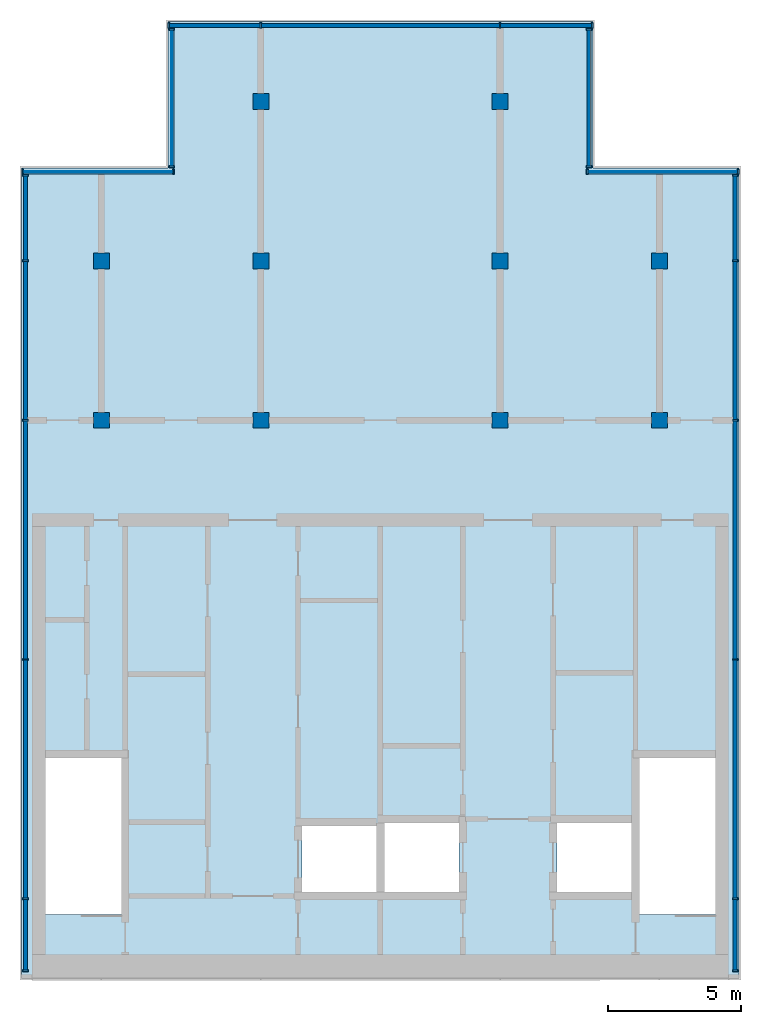
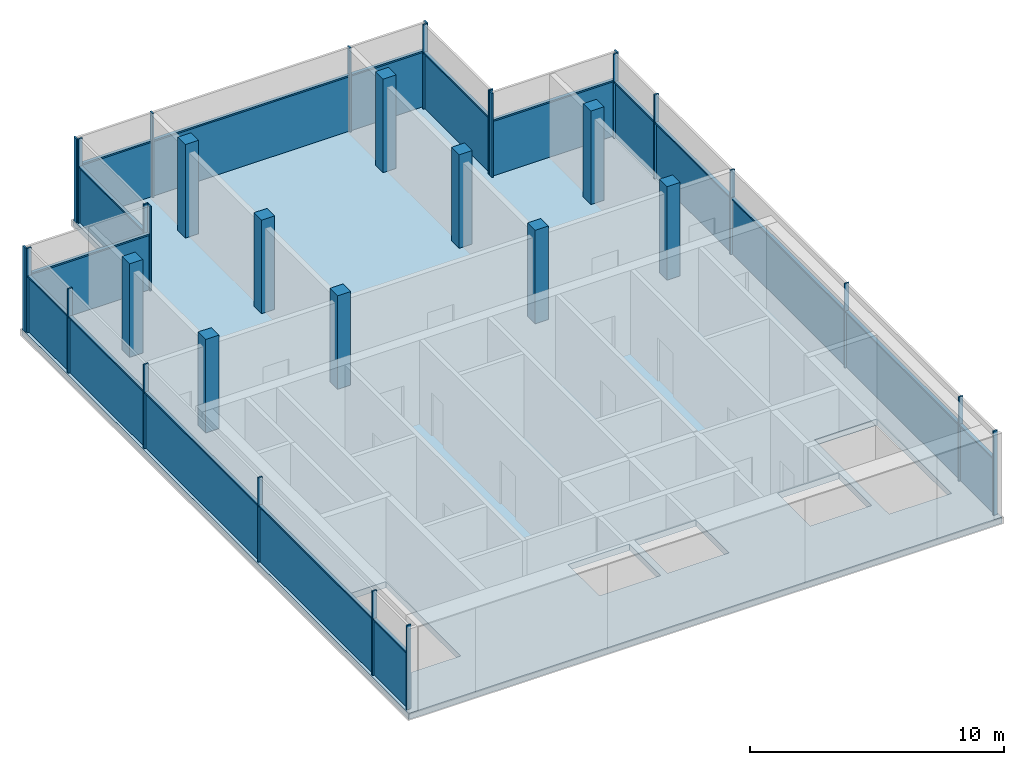
# One storey, part 1 of 4: 41 members, 17 plates, 10 columns, 1 slab, 7 elements without a shape of their own.
"""IFC4 building model written with IfcOpenShell, lengths in metres."""

import ifcopenshell
import ifcopenshell.guid

model = None  # the IFC model being written
_history = None  # IfcOwnerHistory: only IFC2X3 demands one
_inside = {}  # id of a spatial element -> (the spatial element, [elements in it])
_under = {}  # id of a project, library or spatial element -> (it, [spatial elements below it])
_declared = {}  # id of a project -> (the project, [libraries it declares])
_typed = {}  # id of a type object -> (the type object, [elements of that type])
_made_of = {}  # id of a material, layer set ... -> (it, [elements and type objects made of it])


def new_model(schema):
    """Start an empty IFC model of exactly this schema.

    Asked for "IFC4X3", IfcOpenShell would pick the latest addendum, in which some entities
    have other attributes; the version numbers below select the first issue.
    IFC2X3 requires an IfcOwnerHistory on every rooted entity: one is made here for all.
    """
    global model, _history
    if schema == "IFC4X3":
        model = ifcopenshell.file(schema_version=(4, 3, 0, 0))
    else:
        model = ifcopenshell.file(schema=schema)
    _inside.clear()
    _under.clear()
    _declared.clear()
    _typed.clear()
    _made_of.clear()
    _history = None
    if model.schema == "IFC2X3":
        org = make("IfcOrganization", Name="unknown")
        user = make(
            "IfcPersonAndOrganization",
            ThePerson=make("IfcPerson", FamilyName="unknown"),
            TheOrganization=org,
        )
        app = make(
            "IfcApplication",
            ApplicationDeveloper=org,
            Version="unknown",
            ApplicationFullName="unknown",
            ApplicationIdentifier="unknown",
        )
        _history = make(
            "IfcOwnerHistory",
            OwningUser=user,
            OwningApplication=app,
            ChangeAction="ADDED",
            CreationDate=0,
        )
    return model


def make(cls, **values):
    """One entity of the class cls with the attributes given. An attribute that is None is left unset."""
    return model.create_entity(
        cls, **{name: value for name, value in values.items() if value is not None}
    )


def rooted(cls, **values):
    """An entity with a GlobalId (a new one), such as an element, a storey or a relation."""
    return make(cls, GlobalId=ifcopenshell.guid.new(), OwnerHistory=_history, **values)


def si_unit(unit_type, name, prefix=None):
    """IfcSIUnit, for example si_unit("LENGTHUNIT", "METRE", prefix="MILLI")."""
    return make("IfcSIUnit", UnitType=unit_type, Prefix=prefix, Name=name)


def assignment(units):
    """IfcUnitAssignment: the units of a project."""
    return None if units is None else make("IfcUnitAssignment", Units=units)


def point(xyz):
    """IfcCartesianPoint."""
    return None if xyz is None else make("IfcCartesianPoint", Coordinates=xyz)


def direction(xyz):
    """IfcDirection."""
    return None if xyz is None else make("IfcDirection", DirectionRatios=xyz)


def frame(location, z_axis=None, x_axis=None):
    """IfcAxis2Placement3D, a coordinate frame: its origin and axes. An axis left out is left unset."""
    return make(
        "IfcAxis2Placement3D",
        Location=point(location),
        Axis=direction(z_axis),
        RefDirection=direction(x_axis),
    )


def frame_2d(location, x_axis=None):
    """IfcAxis2Placement2D, a coordinate frame in the plane: its origin and x axis."""
    return make(
        "IfcAxis2Placement2D", Location=point(location), RefDirection=direction(x_axis)
    )


def origin():
    """The frame at (0, 0, 0) with its axes left unset."""
    return frame((0.0, 0.0, 0.0))


def origin_2d():
    """The frame at (0, 0) in the plane with its x axis left unset."""
    return frame_2d((0.0, 0.0))


def place(relative_to, where):
    """IfcLocalPlacement: puts the frame where relative to a parent placement (None: the world)."""
    return make(
        "IfcLocalPlacement", PlacementRelTo=relative_to, RelativePlacement=where
    )


def context(
    kind, dimensions, precision=None, world=None, true_north=None, identifier=None
):
    """IfcGeometricRepresentationContext, for example the 3D "Model" context."""
    return make(
        "IfcGeometricRepresentationContext",
        ContextIdentifier=identifier,
        ContextType=kind,
        CoordinateSpaceDimension=dimensions,
        Precision=precision,
        WorldCoordinateSystem=world,
        TrueNorth=true_north,
    )


def subcontext(parent, identifier, kind, view, scale=None):
    """IfcGeometricRepresentationSubContext, for example "Body" below "Model"."""
    return make(
        "IfcGeometricRepresentationSubContext",
        ContextIdentifier=identifier,
        ContextType=kind,
        ParentContext=parent,
        TargetScale=scale,
        TargetView=view,
    )


def project(units=None, contexts=None):
    """IfcProject with its units and contexts."""
    return rooted(
        "IfcProject",
        Name="project",
        RepresentationContexts=contexts,
        UnitsInContext=assignment(units),
    )


def spatial(cls, under=None, at=None, **own):
    """A site, building, storey or space (cls), placed at a placement, below another one or the project."""
    s = rooted(cls, ObjectPlacement=at, **own)
    if under is not None:
        _under.setdefault(under.id(), (under, []))[1].append(s)
    return s


def polyline(points):
    """IfcPolyline through the points."""
    return make("IfcPolyline", Points=[point(p) for p in points])


def profile(cls, at=None, kind="AREA", **sizes):
    """A parametric profile (cls). Its sizes go by their IFC names, for example OverallWidth=200.0."""
    return make(cls, ProfileType=kind, Position=at, **sizes)


def rectangle(**sizes):
    """IfcRectangleProfileDef."""
    return profile("IfcRectangleProfileDef", **sizes)


def outline(outer, holes=None, kind="AREA"):
    """IfcArbitraryClosedProfileDef: a profile drawn as a closed curve; with holes, ...WithVoids."""
    if holes is None:
        return make("IfcArbitraryClosedProfileDef", ProfileType=kind, OuterCurve=outer)
    return make(
        "IfcArbitraryProfileDefWithVoids",
        ProfileType=kind,
        OuterCurve=outer,
        InnerCurves=holes,
    )


def extrude(swept, where, along, depth):
    """IfcExtrudedAreaSolid: the profile swept, set in the frame where, extruded along a direction by depth."""
    return make(
        "IfcExtrudedAreaSolid",
        SweptArea=swept,
        Position=where,
        ExtrudedDirection=direction(along),
        Depth=depth,
    )


def shape(context_of_items, identifier, shape_type, items):
    """IfcShapeRepresentation: the items that make up one representation, for example the "Body"."""
    return make(
        "IfcShapeRepresentation",
        ContextOfItems=context_of_items,
        RepresentationIdentifier=identifier,
        RepresentationType=shape_type,
        Items=items,
    )


def material(Name=None, Category=None):
    """IfcMaterial."""
    return make("IfcMaterial", Name=Name, Category=Category)


def layer(
    of_material, thickness, ventilated=None, Name=None, Category=None, Priority=None
):
    """IfcMaterialLayer: one layer of a wall or slab, of a material (None: an air gap)."""
    return make(
        "IfcMaterialLayer",
        Material=of_material,
        LayerThickness=thickness,
        IsVentilated=ventilated,
        Name=Name,
        Category=Category,
        Priority=Priority,
    )


def layer_set(layers, Name=None):
    """IfcMaterialLayerSet."""
    return make("IfcMaterialLayerSet", MaterialLayers=layers, LayerSetName=Name)


def material_profile(
    of_material, cross_section, Name=None, Category=None, Priority=None
):
    """IfcMaterialProfile: a cross section and its material."""
    return make(
        "IfcMaterialProfile",
        Name=Name,
        Material=of_material,
        Profile=cross_section,
        Priority=Priority,
        Category=Category,
    )


def profile_set(profiles, Name=None, composite=None):
    """IfcMaterialProfileSet."""
    return make(
        "IfcMaterialProfileSet",
        Name=Name,
        MaterialProfiles=profiles,
        CompositeProfile=composite,
    )


def made_of(thing, what):
    """Note that an element or type object is made of a material, layer set ...; save() writes the relation."""
    if what is not None:
        _made_of.setdefault(what.id(), (what, []))[1].append(thing)
    return thing


def type_object(cls, material=None, **own):
    """A type object (cls), such as IfcWallType, which elements share."""
    return made_of(rooted(cls, **own), material)


def element(
    cls,
    number,
    at=None,
    inside=None,
    cuts=None,
    type_object=None,
    material=None,
    context=None,
    identifier="Body",
    shape_type=None,
    held_by="IfcProductDefinitionShape",
    body=None,
    shapes=None,
    **own,
):
    """One element of the class cls, such as IfcWall. Its Tag is "e" and its number.

    at: its placement. inside: the storey or other place that contains it. cuts: it is an
    opening in that element (IfcRelVoidsElement). A single representation is given by context,
    identifier, shape_type and body (its items); several are given by shapes. held_by: the class
    of the entity that holds the representations. save() writes the other relations.
    """
    e = rooted(cls, Tag="e%d" % number, ObjectPlacement=at, **own)
    if body is not None:
        shapes = [shape(context, identifier, shape_type, body)]
    if shapes is not None:
        e.Representation = make(held_by, Representations=shapes)
    if inside is not None:
        _inside.setdefault(inside.id(), (inside, []))[1].append(e)
    if cuts is not None:
        rooted(
            "IfcRelVoidsElement", RelatingBuildingElement=cuts, RelatedOpeningElement=e
        )
    if type_object is not None:
        _typed.setdefault(type_object.id(), (type_object, []))[1].append(e)
    return made_of(e, material)


def aggregate(whole, parts):
    """IfcRelAggregates: a whole, such as a stair, and the parts it consists of."""
    return rooted("IfcRelAggregates", RelatingObject=whole, RelatedObjects=parts)


def save(model, path):
    """Write the relations noted so far, then the file.

    IfcRelAggregates (storeys below a building ...), IfcRelContainedInSpatialStructure (elements
    in a storey), IfcRelDefinesByType, IfcRelAssociatesMaterial and IfcRelDeclares: one each for
    every whole, place, type object, material and project.
    """
    for whole, parts in _under.values():
        aggregate(whole, parts)
    for where, things in _inside.values():
        rooted(
            "IfcRelContainedInSpatialStructure",
            RelatedElements=things,
            RelatingStructure=where,
        )
    for kind, things in _typed.values():
        rooted("IfcRelDefinesByType", RelatedObjects=things, RelatingType=kind)
    for what, things in _made_of.values():
        rooted("IfcRelAssociatesMaterial", RelatedObjects=things, RelatingMaterial=what)
    for by, libraries in _declared.values():
        rooted("IfcRelDeclares", RelatingContext=by, RelatedDefinitions=libraries)
    model.write(path)


model = new_model("IFC4")

# Units and contexts
model_context = context("Model", 3, precision=1e-05, world=origin(), true_north=direction((0.0, 1.0)))
body_context = subcontext(model_context, "Body", "Model", "MODEL_VIEW")
ifc_project = project(units=[si_unit("LENGTHUNIT", "METRE"), si_unit("AREAUNIT", "SQUARE_METRE"), si_unit("VOLUMEUNIT", "CUBIC_METRE"), si_unit("PLANEANGLEUNIT", "RADIAN"), si_unit("MASSUNIT", "GRAM", prefix="KILO")], contexts=[model_context])

# Site, building, storey
site_placement = place(None, origin())
site = spatial("IfcSite", under=ifc_project, at=site_placement, CompositionType="ELEMENT")
building_placement = place(site_placement, origin())
building = spatial("IfcBuilding", under=site, at=building_placement, Name="Finial Court Residences", CompositionType="ELEMENT")
storey_placement = place(building_placement, frame((0.0, 0.0, 321.199951171875)))
storey = spatial("IfcBuildingStorey", under=building, at=storey_placement, Name="L81", CompositionType="ELEMENT", Elevation=321.199951171875)

# Columns
ifc_material_1 = material(Name="Concrete C40/50", Category="concrete")
ifc_material_profile_1 = material_profile(ifc_material_1, rectangle(XDim=0.60009765625, YDim=0.60009765625, at=origin_2d()), Name="600x600")
ifc_profile_set_1 = profile_set([ifc_material_profile_1], Name="Concrete C40/50")
column_type_1 = type_object("IfcColumnType", Name="Interior column 600x600 Concrete C40/50", PredefinedType="COLUMN", material=ifc_profile_set_1)
for number, where, z_axis, x_axis, name in (
    (1, (-4.5, -4.5, 0.0), (0.0, 0.0, 1.0), (1.0, 0.0, 0.0), "S:COL:L81:E4"),
    (2, (-4.5, 1.5, 0.0), (0.0, 0.0, 1.0), (1.0, 0.0, 0.0), "S:COL:L81:E5"),
    (3, (4.5, -4.5, 0.0), (0.0, 0.0, 1.0), (1.0, 0.0, 0.0), "S:COL:L81:F4"),
    (4, (4.5, 1.5, 0.0), (0.0, 0.0, 1.0), (1.0, 0.0, 0.0), "S:COL:L81:F5"),
):
    element("IfcColumn", number, at=place(storey_placement, frame(where, z_axis=z_axis, x_axis=x_axis)), inside=storey, type_object=column_type_1, Name=name, PredefinedType="COLUMN", context=body_context, shape_type="SweptSolid", body=[
        extrude(rectangle(XDim=0.60009765625, YDim=0.60009765625, at=origin_2d()), origin(), (0.0, 0.0, 1.0), 4.5),
    ])
ifc_material_profile_2 = material_profile(ifc_material_1, rectangle(XDim=0.60009765625, YDim=0.60009765625, at=origin_2d()), Name="600x600")
ifc_profile_set_2 = profile_set([ifc_material_profile_2], Name="Concrete C40/50")
column_type_2 = type_object("IfcColumnType", Name="Perimeter column 600x600 Concrete C40/50", PredefinedType="COLUMN", material=ifc_profile_set_2)
for number, where, z_axis, x_axis, name in (
    (5, (-10.5, -4.5, 0.0), (0.0, 0.0, 1.0), (1.0, 0.0, 0.0), "S:COL:L81:D4"),
    (6, (-10.5, 1.5, 0.0), (0.0, 0.0, 1.0), (1.0, 0.0, 0.0), "S:COL:L81:D5"),
    (7, (-4.5, 7.5, 0.0), (0.0, 0.0, 1.0), (1.0, 0.0, 0.0), "S:COL:L81:E6"),
    (8, (4.5, 7.5, 0.0), (0.0, 0.0, 1.0), (1.0, 0.0, 0.0), "S:COL:L81:F6"),
    (9, (10.5, -4.5, 0.0), (0.0, 0.0, 1.0), (1.0, 0.0, 0.0), "S:COL:L81:G4"),
    (10, (10.5, 1.5, 0.0), (0.0, 0.0, 1.0), (1.0, 0.0, 0.0), "S:COL:L81:G5"),
):
    element("IfcColumn", number, at=place(storey_placement, frame(where, z_axis=z_axis, x_axis=x_axis)), inside=storey, type_object=column_type_2, Name=name, PredefinedType="COLUMN", context=body_context, shape_type="SweptSolid", body=[
        extrude(rectangle(XDim=0.60009765625, YDim=0.60009765625, at=origin_2d()), origin(), (0.0, 0.0, 1.0), 4.5),
    ])

# Curtain wall, members
ifc_material_2 = material(Name="Bronze anodised aluminium", Category="aluminium")
curtain_wall_type = type_object("IfcCurtainWallType", Name="Crown lantern glazing", PredefinedType="NOTDEFINED", material=ifc_material_2)
curtain_wall_1_placement = place(storey_placement, origin())
curtain_wall_1 = element("IfcCurtainWall", 11, at=curtain_wall_1_placement, inside=storey, type_object=curtain_wall_type, Name="E-L81-CW-N3", PredefinedType="NOTDEFINED")
ifc_material_profile_3 = material_profile(ifc_material_2, rectangle(XDim=0.199951171875, YDim=0.070068359375, at=origin_2d()), Name="CW6 mullion 70 x 200")
ifc_profile_set_3 = profile_set([ifc_material_profile_3], Name="Bronze anodised aluminium")
member_type_1 = type_object("IfcMemberType", Name="CW6 mullion 70 x 200", PredefinedType="MULLION", material=ifc_profile_set_3)
member_1_placement = place(storey_placement, frame((-7.965087890625, 10.35009765625, 0.0), z_axis=(0.0, 0.0, 1.0), x_axis=(0.0, 1.0, 0.0)))
member_1 = element("IfcMember", 12, at=member_1_placement, type_object=member_type_1, Name="CW6 mullion 1", PredefinedType="MULLION", context=body_context, shape_type="SweptSolid", body=[
    extrude(rectangle(XDim=0.199951171875, YDim=0.070068359375, at=origin_2d()), origin(), (0.0, 0.0, 1.0), 4.050048828125),
])
member_2_placement = place(storey_placement, frame((-4.5, 10.35009765625, 0.0), z_axis=(0.0, 0.0, 1.0), x_axis=(0.0, 1.0, 0.0)))
member_2 = element("IfcMember", 13, at=member_2_placement, type_object=member_type_1, Name="CW6 mullion 2", PredefinedType="MULLION", context=body_context, shape_type="SweptSolid", body=[
    extrude(rectangle(XDim=0.199951171875, YDim=0.070068359375, at=origin_2d()), origin(), (0.0, 0.0, 1.0), 4.050048828125),
])
member_3_placement = place(storey_placement, frame((4.5, 10.35009765625, 0.0), z_axis=(0.0, 0.0, 1.0), x_axis=(0.0, 1.0, 0.0)))
member_3 = element("IfcMember", 14, at=member_3_placement, type_object=member_type_1, Name="CW6 mullion 3", PredefinedType="MULLION", context=body_context, shape_type="SweptSolid", body=[
    extrude(rectangle(XDim=0.199951171875, YDim=0.070068359375, at=origin_2d()), origin(), (0.0, 0.0, 1.0), 4.050048828125),
])
member_4_placement = place(storey_placement, frame((7.965087890625, 10.35009765625, 0.0), z_axis=(0.0, 0.0, 1.0), x_axis=(0.0, 1.0, 0.0)))
member_4 = element("IfcMember", 15, at=member_4_placement, type_object=member_type_1, Name="CW6 mullion 4", PredefinedType="MULLION", context=body_context, shape_type="SweptSolid", body=[
    extrude(rectangle(XDim=0.199951171875, YDim=0.070068359375, at=origin_2d()), origin(), (0.0, 0.0, 1.0), 4.050048828125),
])

curtain_wall_2_placement = place(storey_placement, origin())
curtain_wall_2 = element("IfcCurtainWall", 16, at=curtain_wall_2_placement, inside=storey, type_object=curtain_wall_type, Name="E-L81-CW-E4", PredefinedType="NOTDEFINED")
member_5_placement = place(storey_placement, frame((13.35009765625, -25.215087890625, 0.0), z_axis=(0.0, 0.0, 1.0), x_axis=(-1.0, 0.0, 0.0)))
member_5 = element("IfcMember", 17, at=member_5_placement, type_object=member_type_1, Name="CW6 mullion 1", PredefinedType="MULLION", context=body_context, shape_type="SweptSolid", body=[
    extrude(rectangle(XDim=0.199951171875, YDim=0.070068359375, at=origin_2d()), origin(), (0.0, 0.0, 1.0), 4.050048828125),
])
member_6_placement = place(storey_placement, frame((13.35009765625, -22.5, 0.0), z_axis=(0.0, 0.0, 1.0), x_axis=(-1.0, 0.0, 0.0)))
member_6 = element("IfcMember", 18, at=member_6_placement, type_object=member_type_1, Name="CW6 mullion 2", PredefinedType="MULLION", context=body_context, shape_type="SweptSolid", body=[
    extrude(rectangle(XDim=0.199951171875, YDim=0.070068359375, at=origin_2d()), origin(), (0.0, 0.0, 1.0), 4.050048828125),
])
member_7_placement = place(storey_placement, frame((13.35009765625, -13.5, 0.0), z_axis=(0.0, 0.0, 1.0), x_axis=(-1.0, 0.0, 0.0)))
member_7 = element("IfcMember", 19, at=member_7_placement, type_object=member_type_1, Name="CW6 mullion 3", PredefinedType="MULLION", context=body_context, shape_type="SweptSolid", body=[
    extrude(rectangle(XDim=0.199951171875, YDim=0.070068359375, at=origin_2d()), origin(), (0.0, 0.0, 1.0), 4.050048828125),
])
member_8_placement = place(storey_placement, frame((13.35009765625, -4.5, 0.0), z_axis=(0.0, 0.0, 1.0), x_axis=(-1.0, 0.0, 0.0)))
member_8 = element("IfcMember", 20, at=member_8_placement, type_object=member_type_1, Name="CW6 mullion 4", PredefinedType="MULLION", context=body_context, shape_type="SweptSolid", body=[
    extrude(rectangle(XDim=0.199951171875, YDim=0.070068359375, at=origin_2d()), origin(), (0.0, 0.0, 1.0), 4.050048828125),
])
member_9_placement = place(storey_placement, frame((13.35009765625, 1.5, 0.0), z_axis=(0.0, 0.0, 1.0), x_axis=(-1.0, 0.0, 0.0)))
member_9 = element("IfcMember", 21, at=member_9_placement, type_object=member_type_1, Name="CW6 mullion 5", PredefinedType="MULLION", context=body_context, shape_type="SweptSolid", body=[
    extrude(rectangle(XDim=0.199951171875, YDim=0.070068359375, at=origin_2d()), origin(), (0.0, 0.0, 1.0), 4.050048828125),
])
member_10_placement = place(storey_placement, frame((13.35009765625, 4.715087890625, 0.0), z_axis=(0.0, 0.0, 1.0), x_axis=(-1.0, 0.0, 0.0)))
member_10 = element("IfcMember", 22, at=member_10_placement, type_object=member_type_1, Name="CW6 mullion 6", PredefinedType="MULLION", context=body_context, shape_type="SweptSolid", body=[
    extrude(rectangle(XDim=0.199951171875, YDim=0.070068359375, at=origin_2d()), origin(), (0.0, 0.0, 1.0), 4.050048828125),
])

curtain_wall_3_placement = place(storey_placement, origin())
curtain_wall_3 = element("IfcCurtainWall", 23, at=curtain_wall_3_placement, inside=storey, type_object=curtain_wall_type, Name="E-L81-CW-W5", PredefinedType="NOTDEFINED")
member_11_placement = place(storey_placement, frame((-13.35009765625, -25.215087890625, 0.0), z_axis=(0.0, 0.0, 1.0), x_axis=(-1.0, 0.0, 0.0)))
member_11 = element("IfcMember", 24, at=member_11_placement, type_object=member_type_1, Name="CW6 mullion 1", PredefinedType="MULLION", context=body_context, shape_type="SweptSolid", body=[
    extrude(rectangle(XDim=0.199951171875, YDim=0.070068359375, at=origin_2d()), origin(), (0.0, 0.0, 1.0), 4.050048828125),
])
member_12_placement = place(storey_placement, frame((-13.35009765625, -22.5, 0.0), z_axis=(0.0, 0.0, 1.0), x_axis=(-1.0, 0.0, 0.0)))
member_12 = element("IfcMember", 25, at=member_12_placement, type_object=member_type_1, Name="CW6 mullion 2", PredefinedType="MULLION", context=body_context, shape_type="SweptSolid", body=[
    extrude(rectangle(XDim=0.199951171875, YDim=0.070068359375, at=origin_2d()), origin(), (0.0, 0.0, 1.0), 4.050048828125),
])
member_13_placement = place(storey_placement, frame((-13.35009765625, -13.5, 0.0), z_axis=(0.0, 0.0, 1.0), x_axis=(-1.0, 0.0, 0.0)))
member_13 = element("IfcMember", 26, at=member_13_placement, type_object=member_type_1, Name="CW6 mullion 3", PredefinedType="MULLION", context=body_context, shape_type="SweptSolid", body=[
    extrude(rectangle(XDim=0.199951171875, YDim=0.070068359375, at=origin_2d()), origin(), (0.0, 0.0, 1.0), 4.050048828125),
])
member_14_placement = place(storey_placement, frame((-13.35009765625, -4.5, 0.0), z_axis=(0.0, 0.0, 1.0), x_axis=(-1.0, 0.0, 0.0)))
member_14 = element("IfcMember", 27, at=member_14_placement, type_object=member_type_1, Name="CW6 mullion 4", PredefinedType="MULLION", context=body_context, shape_type="SweptSolid", body=[
    extrude(rectangle(XDim=0.199951171875, YDim=0.070068359375, at=origin_2d()), origin(), (0.0, 0.0, 1.0), 4.050048828125),
])
member_15_placement = place(storey_placement, frame((-13.35009765625, 1.5, 0.0), z_axis=(0.0, 0.0, 1.0), x_axis=(-1.0, 0.0, 0.0)))
member_15 = element("IfcMember", 28, at=member_15_placement, type_object=member_type_1, Name="CW6 mullion 5", PredefinedType="MULLION", context=body_context, shape_type="SweptSolid", body=[
    extrude(rectangle(XDim=0.199951171875, YDim=0.070068359375, at=origin_2d()), origin(), (0.0, 0.0, 1.0), 4.050048828125),
])
member_16_placement = place(storey_placement, frame((-13.35009765625, 4.715087890625, 0.0), z_axis=(0.0, 0.0, 1.0), x_axis=(-1.0, 0.0, 0.0)))
member_16 = element("IfcMember", 29, at=member_16_placement, type_object=member_type_1, Name="CW6 mullion 6", PredefinedType="MULLION", context=body_context, shape_type="SweptSolid", body=[
    extrude(rectangle(XDim=0.199951171875, YDim=0.070068359375, at=origin_2d()), origin(), (0.0, 0.0, 1.0), 4.050048828125),
])

curtain_wall_4_placement = place(storey_placement, origin())
curtain_wall_4 = element("IfcCurtainWall", 30, at=curtain_wall_4_placement, inside=storey, type_object=curtain_wall_type, Name="E-L81-CW-W6n", PredefinedType="NOTDEFINED")
member_17_placement = place(storey_placement, frame((-7.85009765625, 5.034912109375, 0.0), z_axis=(0.0, 0.0, 1.0), x_axis=(-1.0, 0.0, 0.0)))
member_17 = element("IfcMember", 31, at=member_17_placement, type_object=member_type_1, Name="CW6 mullion 1", PredefinedType="MULLION", context=body_context, shape_type="SweptSolid", body=[
    extrude(rectangle(XDim=0.199951171875, YDim=0.070068359375, at=origin_2d()), origin(), (0.0, 0.0, 1.0), 4.050048828125),
])
member_18_placement = place(storey_placement, frame((-7.85009765625, 10.215087890625, 0.0), z_axis=(0.0, 0.0, 1.0), x_axis=(-1.0, 0.0, 0.0)))
member_18 = element("IfcMember", 32, at=member_18_placement, type_object=member_type_1, Name="CW6 mullion 2", PredefinedType="MULLION", context=body_context, shape_type="SweptSolid", body=[
    extrude(rectangle(XDim=0.199951171875, YDim=0.070068359375, at=origin_2d()), origin(), (0.0, 0.0, 1.0), 4.050048828125),
])

curtain_wall_5_placement = place(storey_placement, origin())
curtain_wall_5 = element("IfcCurtainWall", 33, at=curtain_wall_5_placement, inside=storey, type_object=curtain_wall_type, Name="E-L81-CW-N7n", PredefinedType="NOTDEFINED")
member_19_placement = place(storey_placement, frame((-13.465087890625, 4.85009765625, 0.0), z_axis=(0.0, 0.0, 1.0), x_axis=(0.0, 1.0, 0.0)))
member_19 = element("IfcMember", 34, at=member_19_placement, type_object=member_type_1, Name="CW6 mullion 1", PredefinedType="MULLION", context=body_context, shape_type="SweptSolid", body=[
    extrude(rectangle(XDim=0.199951171875, YDim=0.070068359375, at=origin_2d()), origin(), (0.0, 0.0, 1.0), 4.050048828125),
])
member_20_placement = place(storey_placement, frame((-7.784912109375, 4.85009765625, 0.0), z_axis=(0.0, 0.0, 1.0), x_axis=(0.0, 1.0, 0.0)))
member_20 = element("IfcMember", 35, at=member_20_placement, type_object=member_type_1, Name="CW6 mullion 2", PredefinedType="MULLION", context=body_context, shape_type="SweptSolid", body=[
    extrude(rectangle(XDim=0.199951171875, YDim=0.070068359375, at=origin_2d()), origin(), (0.0, 0.0, 1.0), 4.050048828125),
])

curtain_wall_6_placement = place(storey_placement, origin())
curtain_wall_6 = element("IfcCurtainWall", 36, at=curtain_wall_6_placement, inside=storey, type_object=curtain_wall_type, Name="E-L81-CW-E8n", PredefinedType="NOTDEFINED")
member_21_placement = place(storey_placement, frame((7.85009765625, 5.034912109375, 0.0), z_axis=(0.0, 0.0, 1.0), x_axis=(-1.0, 0.0, 0.0)))
member_21 = element("IfcMember", 37, at=member_21_placement, type_object=member_type_1, Name="CW6 mullion 1", PredefinedType="MULLION", context=body_context, shape_type="SweptSolid", body=[
    extrude(rectangle(XDim=0.199951171875, YDim=0.070068359375, at=origin_2d()), origin(), (0.0, 0.0, 1.0), 4.050048828125),
])
member_22_placement = place(storey_placement, frame((7.85009765625, 10.215087890625, 0.0), z_axis=(0.0, 0.0, 1.0), x_axis=(-1.0, 0.0, 0.0)))
member_22 = element("IfcMember", 38, at=member_22_placement, type_object=member_type_1, Name="CW6 mullion 2", PredefinedType="MULLION", context=body_context, shape_type="SweptSolid", body=[
    extrude(rectangle(XDim=0.199951171875, YDim=0.070068359375, at=origin_2d()), origin(), (0.0, 0.0, 1.0), 4.050048828125),
])

curtain_wall_7_placement = place(storey_placement, origin())
curtain_wall_7 = element("IfcCurtainWall", 39, at=curtain_wall_7_placement, inside=storey, type_object=curtain_wall_type, Name="E-L81-CW-N9n", PredefinedType="NOTDEFINED")
member_23_placement = place(storey_placement, frame((7.784912109375, 4.85009765625, 0.0), z_axis=(0.0, 0.0, 1.0), x_axis=(0.0, 1.0, 0.0)))
member_23 = element("IfcMember", 40, at=member_23_placement, type_object=member_type_1, Name="CW6 mullion 1", PredefinedType="MULLION", context=body_context, shape_type="SweptSolid", body=[
    extrude(rectangle(XDim=0.199951171875, YDim=0.070068359375, at=origin_2d()), origin(), (0.0, 0.0, 1.0), 4.050048828125),
])
member_24_placement = place(storey_placement, frame((13.465087890625, 4.85009765625, 0.0), z_axis=(0.0, 0.0, 1.0), x_axis=(0.0, 1.0, 0.0)))
member_24 = element("IfcMember", 41, at=member_24_placement, type_object=member_type_1, Name="CW6 mullion 2", PredefinedType="MULLION", context=body_context, shape_type="SweptSolid", body=[
    extrude(rectangle(XDim=0.199951171875, YDim=0.070068359375, at=origin_2d()), origin(), (0.0, 0.0, 1.0), 4.050048828125),
])

# Member
ifc_material_profile_4 = material_profile(ifc_material_2, rectangle(XDim=0.14990234375, YDim=0.070068359375, at=origin_2d()), Name="CW6 transom 70 x 150")
ifc_profile_set_4 = profile_set([ifc_material_profile_4], Name="Bronze anodised aluminium")
member_type_2 = type_object("IfcMemberType", Name="CW6 transom 70 x 150", PredefinedType="USERDEFINED", material=ifc_profile_set_4)
member_25_placement = place(storey_placement, frame((-7.929931640625, 10.35009765625, 2.699951171875), z_axis=(1.0, 0.0, 0.0), x_axis=(0.0, 1.0, 0.0)))
member_25 = element("IfcMember", 42, at=member_25_placement, type_object=member_type_2, Name="CW6 transom 1.1", ObjectType="TRANSOM", PredefinedType="USERDEFINED", context=body_context, shape_type="SweptSolid", body=[
    extrude(rectangle(XDim=0.14990234375, YDim=0.070068359375, at=origin_2d()), origin(), (0.0, 0.0, 1.0), 3.39501953125),
])

member_26_placement = place(storey_placement, frame((-4.465087890625, 10.35009765625, 2.699951171875), z_axis=(1.0, 0.0, 0.0), x_axis=(0.0, 1.0, 0.0)))
member_26 = element("IfcMember", 43, at=member_26_placement, type_object=member_type_2, Name="CW6 transom 2.1", ObjectType="TRANSOM", PredefinedType="USERDEFINED", context=body_context, shape_type="SweptSolid", body=[
    extrude(rectangle(XDim=0.14990234375, YDim=0.070068359375, at=origin_2d()), origin(), (0.0, 0.0, 1.0), 8.93017578125),
])

member_27_placement = place(storey_placement, frame((4.534912109375, 10.35009765625, 2.699951171875), z_axis=(1.0, 0.0, 0.0), x_axis=(0.0, 1.0, 0.0)))
member_27 = element("IfcMember", 44, at=member_27_placement, type_object=member_type_2, Name="CW6 transom 3.1", ObjectType="TRANSOM", PredefinedType="USERDEFINED", context=body_context, shape_type="SweptSolid", body=[
    extrude(rectangle(XDim=0.14990234375, YDim=0.070068359375, at=origin_2d()), origin(), (0.0, 0.0, 1.0), 3.39501953125),
])

member_28_placement = place(storey_placement, frame((13.35009765625, -25.179931640625, 2.699951171875), z_axis=(0.0, 1.0, 0.0), x_axis=(-1.0, 0.0, 0.0)))
member_28 = element("IfcMember", 45, at=member_28_placement, type_object=member_type_2, Name="CW6 transom 1.1", ObjectType="TRANSOM", PredefinedType="USERDEFINED", context=body_context, shape_type="SweptSolid", body=[
    extrude(rectangle(XDim=0.14990234375, YDim=0.070068359375, at=origin_2d()), origin(), (0.0, 0.0, 1.0), 2.64501953125),
])

member_29_placement = place(storey_placement, frame((13.35009765625, -22.465087890625, 2.699951171875), z_axis=(0.0, 1.0, 0.0), x_axis=(-1.0, 0.0, 0.0)))
member_29 = element("IfcMember", 46, at=member_29_placement, type_object=member_type_2, Name="CW6 transom 2.1", ObjectType="TRANSOM", PredefinedType="USERDEFINED", context=body_context, shape_type="SweptSolid", body=[
    extrude(rectangle(XDim=0.14990234375, YDim=0.070068359375, at=origin_2d()), origin(), (0.0, 0.0, 1.0), 8.93017578125),
])

member_30_placement = place(storey_placement, frame((13.35009765625, -13.465087890625, 2.699951171875), z_axis=(0.0, 1.0, 0.0), x_axis=(-1.0, 0.0, 0.0)))
member_30 = element("IfcMember", 47, at=member_30_placement, type_object=member_type_2, Name="CW6 transom 3.1", ObjectType="TRANSOM", PredefinedType="USERDEFINED", context=body_context, shape_type="SweptSolid", body=[
    extrude(rectangle(XDim=0.14990234375, YDim=0.070068359375, at=origin_2d()), origin(), (0.0, 0.0, 1.0), 8.93017578125),
])

member_31_placement = place(storey_placement, frame((13.35009765625, -4.465087890625, 2.699951171875), z_axis=(0.0, 1.0, 0.0), x_axis=(-1.0, 0.0, 0.0)))
member_31 = element("IfcMember", 48, at=member_31_placement, type_object=member_type_2, Name="CW6 transom 4.1", ObjectType="TRANSOM", PredefinedType="USERDEFINED", context=body_context, shape_type="SweptSolid", body=[
    extrude(rectangle(XDim=0.14990234375, YDim=0.070068359375, at=origin_2d()), origin(), (0.0, 0.0, 1.0), 5.93017578125),
])

member_32_placement = place(storey_placement, frame((13.35009765625, 1.534912109375, 2.699951171875), z_axis=(0.0, 1.0, 0.0), x_axis=(-1.0, 0.0, 0.0)))
member_32 = element("IfcMember", 49, at=member_32_placement, type_object=member_type_2, Name="CW6 transom 5.1", ObjectType="TRANSOM", PredefinedType="USERDEFINED", context=body_context, shape_type="SweptSolid", body=[
    extrude(rectangle(XDim=0.14990234375, YDim=0.070068359375, at=origin_2d()), origin(), (0.0, 0.0, 1.0), 3.14501953125),
])

member_33_placement = place(storey_placement, frame((-13.35009765625, -25.179931640625, 2.699951171875), z_axis=(0.0, 1.0, 0.0), x_axis=(-1.0, 0.0, 0.0)))
member_33 = element("IfcMember", 50, at=member_33_placement, type_object=member_type_2, Name="CW6 transom 1.1", ObjectType="TRANSOM", PredefinedType="USERDEFINED", context=body_context, shape_type="SweptSolid", body=[
    extrude(rectangle(XDim=0.14990234375, YDim=0.070068359375, at=origin_2d()), origin(), (0.0, 0.0, 1.0), 2.64501953125),
])

member_34_placement = place(storey_placement, frame((-13.35009765625, -22.465087890625, 2.699951171875), z_axis=(0.0, 1.0, 0.0), x_axis=(-1.0, 0.0, 0.0)))
member_34 = element("IfcMember", 51, at=member_34_placement, type_object=member_type_2, Name="CW6 transom 2.1", ObjectType="TRANSOM", PredefinedType="USERDEFINED", context=body_context, shape_type="SweptSolid", body=[
    extrude(rectangle(XDim=0.14990234375, YDim=0.070068359375, at=origin_2d()), origin(), (0.0, 0.0, 1.0), 8.93017578125),
])

member_35_placement = place(storey_placement, frame((-13.35009765625, -13.465087890625, 2.699951171875), z_axis=(0.0, 1.0, 0.0), x_axis=(-1.0, 0.0, 0.0)))
member_35 = element("IfcMember", 52, at=member_35_placement, type_object=member_type_2, Name="CW6 transom 3.1", ObjectType="TRANSOM", PredefinedType="USERDEFINED", context=body_context, shape_type="SweptSolid", body=[
    extrude(rectangle(XDim=0.14990234375, YDim=0.070068359375, at=origin_2d()), origin(), (0.0, 0.0, 1.0), 8.93017578125),
])

member_36_placement = place(storey_placement, frame((-13.35009765625, -4.465087890625, 2.699951171875), z_axis=(0.0, 1.0, 0.0), x_axis=(-1.0, 0.0, 0.0)))
member_36 = element("IfcMember", 53, at=member_36_placement, type_object=member_type_2, Name="CW6 transom 4.1", ObjectType="TRANSOM", PredefinedType="USERDEFINED", context=body_context, shape_type="SweptSolid", body=[
    extrude(rectangle(XDim=0.14990234375, YDim=0.070068359375, at=origin_2d()), origin(), (0.0, 0.0, 1.0), 5.93017578125),
])

member_37_placement = place(storey_placement, frame((-13.35009765625, 1.534912109375, 2.699951171875), z_axis=(0.0, 1.0, 0.0), x_axis=(-1.0, 0.0, 0.0)))
member_37 = element("IfcMember", 54, at=member_37_placement, type_object=member_type_2, Name="CW6 transom 5.1", ObjectType="TRANSOM", PredefinedType="USERDEFINED", context=body_context, shape_type="SweptSolid", body=[
    extrude(rectangle(XDim=0.14990234375, YDim=0.070068359375, at=origin_2d()), origin(), (0.0, 0.0, 1.0), 3.14501953125),
])

member_38_placement = place(storey_placement, frame((-7.85009765625, 5.070068359375, 2.699951171875), z_axis=(0.0, 1.0, 0.0), x_axis=(-1.0, 0.0, 0.0)))
member_38 = element("IfcMember", 55, at=member_38_placement, type_object=member_type_2, Name="CW6 transom 1.1", ObjectType="TRANSOM", PredefinedType="USERDEFINED", context=body_context, shape_type="SweptSolid", body=[
    extrude(rectangle(XDim=0.14990234375, YDim=0.070068359375, at=origin_2d()), origin(), (0.0, 0.0, 1.0), 5.10986328125),
])

member_39_placement = place(storey_placement, frame((-13.429931640625, 4.85009765625, 2.699951171875), z_axis=(1.0, 0.0, 0.0), x_axis=(0.0, 1.0, 0.0)))
member_39 = element("IfcMember", 56, at=member_39_placement, type_object=member_type_2, Name="CW6 transom 1.1", ObjectType="TRANSOM", PredefinedType="USERDEFINED", context=body_context, shape_type="SweptSolid", body=[
    extrude(rectangle(XDim=0.14990234375, YDim=0.070068359375, at=origin_2d()), origin(), (0.0, 0.0, 1.0), 5.60986328125),
])

member_40_placement = place(storey_placement, frame((7.85009765625, 5.070068359375, 2.699951171875), z_axis=(0.0, 1.0, 0.0), x_axis=(-1.0, 0.0, 0.0)))
member_40 = element("IfcMember", 57, at=member_40_placement, type_object=member_type_2, Name="CW6 transom 1.1", ObjectType="TRANSOM", PredefinedType="USERDEFINED", context=body_context, shape_type="SweptSolid", body=[
    extrude(rectangle(XDim=0.14990234375, YDim=0.070068359375, at=origin_2d()), origin(), (0.0, 0.0, 1.0), 5.10986328125),
])

member_41_placement = place(storey_placement, frame((7.820068359375, 4.85009765625, 2.699951171875), z_axis=(1.0, 0.0, 0.0), x_axis=(0.0, 1.0, 0.0)))
member_41 = element("IfcMember", 58, at=member_41_placement, type_object=member_type_2, Name="CW6 transom 1.1", ObjectType="TRANSOM", PredefinedType="USERDEFINED", context=body_context, shape_type="SweptSolid", body=[
    extrude(rectangle(XDim=0.14990234375, YDim=0.070068359375, at=origin_2d()), origin(), (0.0, 0.0, 1.0), 5.60986328125),
])

# Plate
ifc_material_3 = material(Name="Clear low-e glass", Category="glass")
ifc_layer_1 = layer(ifc_material_3, 0.031982421875)
ifc_layer_set_1 = layer_set([ifc_layer_1], Name="CW6 vision glass 32")
plate_type = type_object("IfcPlateType", Name="CW6 vision glass 32", PredefinedType="CURTAIN_PANEL", material=ifc_layer_set_1)
plate_1_placement = place(storey_placement, frame((-6.232421875, 10.35009765625, 0.0), z_axis=(0.0, 0.0, 1.0), x_axis=(1.0, 0.0, 0.0)))
plate_1 = element("IfcPlate", 59, at=plate_1_placement, type_object=plate_type, Name="CW6 glass 1.1", PredefinedType="CURTAIN_PANEL", context=body_context, shape_type="SweptSolid", body=[
    extrude(rectangle(XDim=3.39501953125, YDim=0.031982421875, at=origin_2d()), origin(), (0.0, 0.0, 1.0), 2.6650390625),
])

plate_2_placement = place(storey_placement, frame((0.0, 10.35009765625, 0.0), z_axis=(0.0, 0.0, 1.0), x_axis=(1.0, 0.0, 0.0)))
plate_2 = element("IfcPlate", 60, at=plate_2_placement, type_object=plate_type, Name="CW6 glass 2.1", PredefinedType="CURTAIN_PANEL", context=body_context, shape_type="SweptSolid", body=[
    extrude(rectangle(XDim=8.929931640625, YDim=0.031982421875, at=origin_2d()), origin(), (0.0, 0.0, 1.0), 2.6650390625),
])

plate_3_placement = place(storey_placement, frame((6.232421875, 10.35009765625, 0.0), z_axis=(0.0, 0.0, 1.0), x_axis=(1.0, 0.0, 0.0)))
plate_3 = element("IfcPlate", 61, at=plate_3_placement, type_object=plate_type, Name="CW6 glass 3.1", PredefinedType="CURTAIN_PANEL", context=body_context, shape_type="SweptSolid", body=[
    extrude(rectangle(XDim=3.39501953125, YDim=0.031982421875, at=origin_2d()), origin(), (0.0, 0.0, 1.0), 2.6650390625),
])

aggregate(curtain_wall_1, [member_1, member_2, member_3, member_4, member_25, plate_1, member_26, plate_2, member_27, plate_3])

plate_4_placement = place(storey_placement, frame((13.35009765625, -23.857421875, 0.0), z_axis=(0.0, 0.0, 1.0), x_axis=(0.0, 1.0, 0.0)))
plate_4 = element("IfcPlate", 62, at=plate_4_placement, type_object=plate_type, Name="CW6 glass 1.1", PredefinedType="CURTAIN_PANEL", context=body_context, shape_type="SweptSolid", body=[
    extrude(rectangle(XDim=2.64501953125, YDim=0.031982421875, at=origin_2d()), origin(), (0.0, 0.0, 1.0), 2.6650390625),
])

plate_5_placement = place(storey_placement, frame((13.35009765625, -18.0, 0.0), z_axis=(0.0, 0.0, 1.0), x_axis=(0.0, 1.0, 0.0)))
plate_5 = element("IfcPlate", 63, at=plate_5_placement, type_object=plate_type, Name="CW6 glass 2.1", PredefinedType="CURTAIN_PANEL", context=body_context, shape_type="SweptSolid", body=[
    extrude(rectangle(XDim=8.929931640625, YDim=0.031982421875, at=origin_2d()), origin(), (0.0, 0.0, 1.0), 2.6650390625),
])

plate_6_placement = place(storey_placement, frame((13.35009765625, -9.0, 0.0), z_axis=(0.0, 0.0, 1.0), x_axis=(0.0, 1.0, 0.0)))
plate_6 = element("IfcPlate", 64, at=plate_6_placement, type_object=plate_type, Name="CW6 glass 3.1", PredefinedType="CURTAIN_PANEL", context=body_context, shape_type="SweptSolid", body=[
    extrude(rectangle(XDim=8.929931640625, YDim=0.031982421875, at=origin_2d()), origin(), (0.0, 0.0, 1.0), 2.6650390625),
])

plate_7_placement = place(storey_placement, frame((13.35009765625, -1.5, 0.0), z_axis=(0.0, 0.0, 1.0), x_axis=(0.0, 1.0, 0.0)))
plate_7 = element("IfcPlate", 65, at=plate_7_placement, type_object=plate_type, Name="CW6 glass 4.1", PredefinedType="CURTAIN_PANEL", context=body_context, shape_type="SweptSolid", body=[
    extrude(rectangle(XDim=5.929931640625, YDim=0.031982421875, at=origin_2d()), origin(), (0.0, 0.0, 1.0), 2.6650390625),
])

plate_8_placement = place(storey_placement, frame((13.35009765625, 3.107421875, 0.0), z_axis=(0.0, 0.0, 1.0), x_axis=(0.0, 1.0, 0.0)))
plate_8 = element("IfcPlate", 66, at=plate_8_placement, type_object=plate_type, Name="CW6 glass 5.1", PredefinedType="CURTAIN_PANEL", context=body_context, shape_type="SweptSolid", body=[
    extrude(rectangle(XDim=3.14501953125, YDim=0.031982421875, at=origin_2d()), origin(), (0.0, 0.0, 1.0), 2.6650390625),
])

aggregate(curtain_wall_2, [member_5, member_6, member_7, member_8, member_9, member_10, member_28, plate_4, member_29, plate_5, member_30, plate_6, member_31, plate_7, member_32, plate_8])

plate_9_placement = place(storey_placement, frame((-13.35009765625, -23.857421875, 0.0), z_axis=(0.0, 0.0, 1.0), x_axis=(0.0, 1.0, 0.0)))
plate_9 = element("IfcPlate", 67, at=plate_9_placement, type_object=plate_type, Name="CW6 glass 1.1", PredefinedType="CURTAIN_PANEL", context=body_context, shape_type="SweptSolid", body=[
    extrude(rectangle(XDim=2.64501953125, YDim=0.031982421875, at=origin_2d()), origin(), (0.0, 0.0, 1.0), 2.6650390625),
])

plate_10_placement = place(storey_placement, frame((-13.35009765625, -18.0, 0.0), z_axis=(0.0, 0.0, 1.0), x_axis=(0.0, 1.0, 0.0)))
plate_10 = element("IfcPlate", 68, at=plate_10_placement, type_object=plate_type, Name="CW6 glass 2.1", PredefinedType="CURTAIN_PANEL", context=body_context, shape_type="SweptSolid", body=[
    extrude(rectangle(XDim=8.929931640625, YDim=0.031982421875, at=origin_2d()), origin(), (0.0, 0.0, 1.0), 2.6650390625),
])

plate_11_placement = place(storey_placement, frame((-13.35009765625, -9.0, 0.0), z_axis=(0.0, 0.0, 1.0), x_axis=(0.0, 1.0, 0.0)))
plate_11 = element("IfcPlate", 69, at=plate_11_placement, type_object=plate_type, Name="CW6 glass 3.1", PredefinedType="CURTAIN_PANEL", context=body_context, shape_type="SweptSolid", body=[
    extrude(rectangle(XDim=8.929931640625, YDim=0.031982421875, at=origin_2d()), origin(), (0.0, 0.0, 1.0), 2.6650390625),
])

plate_12_placement = place(storey_placement, frame((-13.35009765625, -1.5, 0.0), z_axis=(0.0, 0.0, 1.0), x_axis=(0.0, 1.0, 0.0)))
plate_12 = element("IfcPlate", 70, at=plate_12_placement, type_object=plate_type, Name="CW6 glass 4.1", PredefinedType="CURTAIN_PANEL", context=body_context, shape_type="SweptSolid", body=[
    extrude(rectangle(XDim=5.929931640625, YDim=0.031982421875, at=origin_2d()), origin(), (0.0, 0.0, 1.0), 2.6650390625),
])

plate_13_placement = place(storey_placement, frame((-13.35009765625, 3.107421875, 0.0), z_axis=(0.0, 0.0, 1.0), x_axis=(0.0, 1.0, 0.0)))
plate_13 = element("IfcPlate", 71, at=plate_13_placement, type_object=plate_type, Name="CW6 glass 5.1", PredefinedType="CURTAIN_PANEL", context=body_context, shape_type="SweptSolid", body=[
    extrude(rectangle(XDim=3.14501953125, YDim=0.031982421875, at=origin_2d()), origin(), (0.0, 0.0, 1.0), 2.6650390625),
])

aggregate(curtain_wall_3, [member_11, member_12, member_13, member_14, member_15, member_16, member_33, plate_9, member_34, plate_10, member_35, plate_11, member_36, plate_12, member_37, plate_13])

plate_14_placement = place(storey_placement, frame((-7.85009765625, 7.625, 0.0), z_axis=(0.0, 0.0, 1.0), x_axis=(0.0, 1.0, 0.0)))
plate_14 = element("IfcPlate", 72, at=plate_14_placement, type_object=plate_type, Name="CW6 glass 1.1", PredefinedType="CURTAIN_PANEL", context=body_context, shape_type="SweptSolid", body=[
    extrude(rectangle(XDim=5.110107421875, YDim=0.031982421875, at=origin_2d()), origin(), (0.0, 0.0, 1.0), 2.6650390625),
])

aggregate(curtain_wall_4, [member_17, member_18, member_38, plate_14])

plate_15_placement = place(storey_placement, frame((-10.625, 4.85009765625, 0.0), z_axis=(0.0, 0.0, 1.0), x_axis=(1.0, 0.0, 0.0)))
plate_15 = element("IfcPlate", 73, at=plate_15_placement, type_object=plate_type, Name="CW6 glass 1.1", PredefinedType="CURTAIN_PANEL", context=body_context, shape_type="SweptSolid", body=[
    extrude(rectangle(XDim=5.610107421875, YDim=0.031982421875, at=origin_2d()), origin(), (0.0, 0.0, 1.0), 2.6650390625),
])

aggregate(curtain_wall_5, [member_19, member_20, member_39, plate_15])

plate_16_placement = place(storey_placement, frame((7.85009765625, 7.625, 0.0), z_axis=(0.0, 0.0, 1.0), x_axis=(0.0, 1.0, 0.0)))
plate_16 = element("IfcPlate", 74, at=plate_16_placement, type_object=plate_type, Name="CW6 glass 1.1", PredefinedType="CURTAIN_PANEL", context=body_context, shape_type="SweptSolid", body=[
    extrude(rectangle(XDim=5.110107421875, YDim=0.031982421875, at=origin_2d()), origin(), (0.0, 0.0, 1.0), 2.6650390625),
])

aggregate(curtain_wall_6, [member_21, member_22, member_40, plate_16])

plate_17_placement = place(storey_placement, frame((10.625, 4.85009765625, 0.0), z_axis=(0.0, 0.0, 1.0), x_axis=(1.0, 0.0, 0.0)))
plate_17 = element("IfcPlate", 75, at=plate_17_placement, type_object=plate_type, Name="CW6 glass 1.1", PredefinedType="CURTAIN_PANEL", context=body_context, shape_type="SweptSolid", body=[
    extrude(rectangle(XDim=5.610107421875, YDim=0.031982421875, at=origin_2d()), origin(), (0.0, 0.0, 1.0), 2.6650390625),
])

aggregate(curtain_wall_7, [member_23, member_24, member_41, plate_17])

# Slab
ifc_layer_2 = layer(ifc_material_1, 0.300048828125)
ifc_layer_set_2 = layer_set([ifc_layer_2], Name="Flat plate slab 300 Concrete C40/50")
slab_type = type_object("IfcSlabType", Name="Flat plate slab 300 Concrete C40/50", PredefinedType="FLOOR", material=ifc_layer_set_2)
slab_placement = place(storey_placement, frame((0.0, 0.0, -0.300048828125)))
element("IfcSlab", 76, at=slab_placement, inside=storey, type_object=slab_type, Name="S:SLAB:L81", PredefinedType="FLOOR", context=body_context, shape_type="SweptSolid", body=[
    extrude(outline(polyline([(-13.5, -25.5), (-13.5, 5.0), (-8.0, 5.0), (-8.0, 10.5), (8.0, 10.5), (8.0, 5.0), (13.5, 5.0), (13.5, -25.5), (-13.5, -25.5)]), holes=[polyline([(-2.949951171875, -19.77001953125), (-2.949951171875, -22.25), (-0.14990234375, -22.25), (-0.14990234375, -19.77001953125), (-2.949951171875, -19.77001953125)]), polyline([(0.14990234375, -19.64990234375), (0.14990234375, -22.25), (2.949951171875, -22.25), (2.949951171875, -19.64990234375), (0.14990234375, -19.64990234375)]), polyline([(6.64990234375, -19.64990234375), (6.64990234375, -22.25), (9.449951171875, -22.25), (9.449951171875, -19.64990234375), (6.64990234375, -19.64990234375)]), polyline([(-12.60009765625, -17.199951171875), (-12.60009765625, -23.09912109375), (-9.75, -23.09912109375), (-9.75, -17.199951171875), (-12.60009765625, -17.199951171875)]), polyline([(9.75, -17.199951171875), (9.75, -23.09912109375), (12.60009765625, -23.09912109375), (12.60009765625, -17.199951171875), (9.75, -17.199951171875)])]), origin(), (0.0, 0.0, 1.0), 0.300048828125),
])

save(model, "model.ifc")
